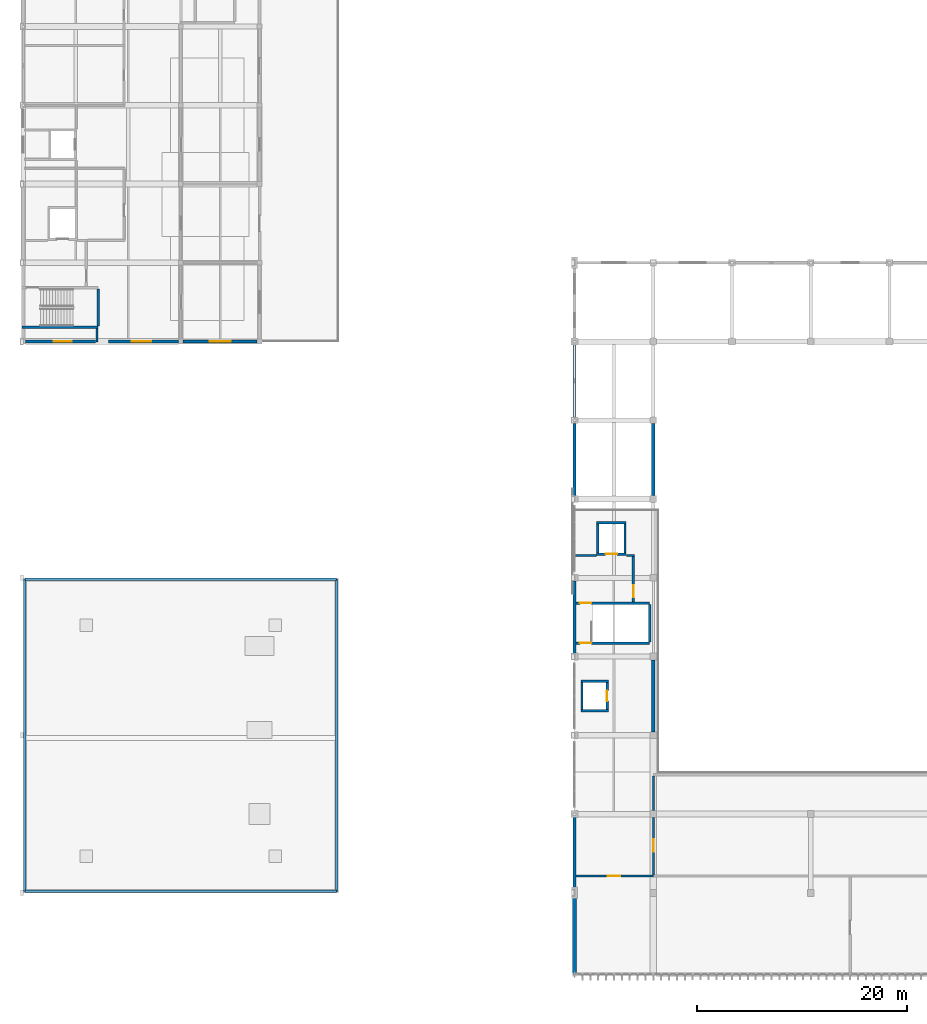
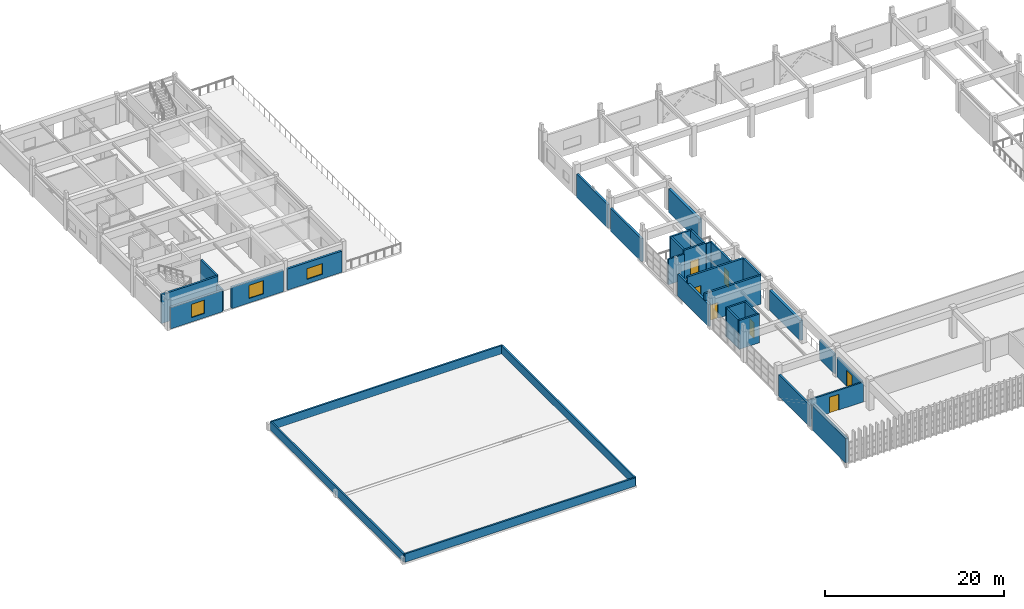
# One storey, part 34 of 51: 34 walls, 7 doors, 3 windows, 10 openings.
"""IFC4 building model written with IfcOpenShell, lengths in metres."""

from ifc_helpers import new_model, si_unit, direction, frame, frame_2d, origin, place, context, subcontext, project, spatial, rectangle, extrude, material, layer, layer_set, type_object, element, fill, save


model = new_model("IFC4")

# Units and contexts
model_context = context("Model", 3, precision=1e-05, world=origin(), true_north=direction((0.0, 1.0)))
body_context = subcontext(model_context, "Body", "Model", "MODEL_VIEW")
ifc_project = project(units=[si_unit("LENGTHUNIT", "METRE"), si_unit("AREAUNIT", "SQUARE_METRE"), si_unit("VOLUMEUNIT", "CUBIC_METRE"), si_unit("PLANEANGLEUNIT", "RADIAN"), si_unit("MASSUNIT", "GRAM", prefix="KILO")], contexts=[model_context])

# Site, building, storey
site_placement = place(None, origin())
site = spatial("IfcSite", under=ifc_project, at=site_placement, CompositionType="ELEMENT")
building_placement = place(site_placement, origin())
building = spatial("IfcBuilding", under=site, at=building_placement, Name="Qasida Concert Hall", CompositionType="ELEMENT")
storey_placement = place(building_placement, frame((0.0, 0.0, 21.0)))
storey = spatial("IfcBuildingStorey", under=building, at=storey_placement, Name="L05", CompositionType="ELEMENT", Elevation=21.0)

# Walls
ifc_material_1 = material(Name="Concrete C40/50", Category="concrete")
ifc_layer_1 = layer(ifc_material_1, 0.219970703125, Name="Concrete C40/50")
ifc_layer_set_1 = layer_set([ifc_layer_1], Name="Concrete C40/50")
wall_type_1 = type_object("IfcWallType", Name="WL-CW-220", PredefinedType="SOLIDWALL", material=ifc_layer_set_1)
for number, where, z_axis, x_axis, name in (
    (1, (53.090087890625, 39.85009765625, 0.0), (0.0, 0.0, 1.0), (1.0, 0.0, 0.0), "L05 LF-01 lift shaft wall S"),
    (2, (53.090087890625, 42.64990234375, 0.0), (0.0, 0.0, 1.0), (1.0, 0.0, 0.0), "L05 LF-01 lift shaft wall N"),
):
    element("IfcWall", number, at=place(storey_placement, frame(where, z_axis=z_axis, x_axis=x_axis)), inside=storey, type_object=wall_type_1, Name=name, PredefinedType="SOLIDWALL", context=body_context, shape_type="SweptSolid", body=[
        extrude(rectangle(XDim=2.619873046875, YDim=0.219970703125, at=frame_2d((1.31005859375, 0.0))), origin(), (0.0, 0.0, 1.0), 3.919921875),
    ])
wall_1_placement = place(storey_placement, frame((53.199951171875, 39.9599609375, 0.0), z_axis=(0.0, 0.0, 1.0), x_axis=(0.0, 1.0, 0.0)))
element("IfcWall", 3, at=wall_1_placement, inside=storey, type_object=wall_type_1, Name="L05 LF-01 lift shaft wall W", PredefinedType="SOLIDWALL", context=body_context, shape_type="SweptSolid", body=[
    extrude(rectangle(XDim=2.580078125, YDim=0.219970703125, at=frame_2d((1.2900390625, 0.0))), origin(), (0.0, 0.0, 1.0), 3.919921875),
])

# Wall, opening, door
wall_2_placement = place(storey_placement, frame((55.60009765625, 39.9599609375, 0.0), z_axis=(0.0, 0.0, 1.0), x_axis=(0.0, 1.0, 0.0)))
wall_2 = element("IfcWall", 4, at=wall_2_placement, inside=storey, type_object=wall_type_1, Name="L05 LF-01 lift shaft wall E", PredefinedType="SOLIDWALL", context=body_context, shape_type="SweptSolid", body=[
    extrude(rectangle(XDim=2.580078125, YDim=0.219970703125, at=frame_2d((1.2900390625, 0.0))), origin(), (0.0, 0.0, 1.0), 3.919921875),
])
opening_1_placement = place(wall_2_placement, frame((0.7900390625, 0.0, 0.0)))
opening_1 = element("IfcOpeningElement", 5, at=opening_1_placement, cuts=wall_2, Name="Opening LD-100", PredefinedType="OPENING", context=body_context, shape_type="SweptSolid", body=[
    extrude(rectangle(XDim=1.0, YDim=2.14990234375, at=frame_2d((0.5, 1.074951171875))), frame((0.0, 0.119873046875, 0.0), z_axis=(0.0, -1.0, 0.0), x_axis=(1.0, 0.0, 0.0)), (0.0, 0.0, 1.0), 0.239990234375),
])
ifc_material_2 = material(Name="Brushed bronze passenger lift landing door", Category="steel")
door_type_1 = type_object("IfcDoorType", Name="LD-100", OperationType="SLIDING_TO_LEFT", PredefinedType="DOOR", material=ifc_material_2)
door_1_placement = place(opening_1_placement, origin())
door_1 = element("IfcDoor", 6, at=door_1_placement, inside=storey, type_object=door_type_1, Name="Lift landing door LF-01 L05", OperationType="SLIDING_TO_LEFT", OverallHeight=2.14990234375, OverallWidth=1.0, PredefinedType="DOOR", context=body_context, shape_type="SweptSolid", body=[
    extrude(rectangle(XDim=1.0, YDim=2.14990234375, at=frame_2d((0.5, 1.074951171875))), frame((0.0, 0.02490234375, 0.0), z_axis=(0.0, -1.0, 0.0), x_axis=(1.0, 0.0, 0.0)), (0.0, 0.0, 1.0), 0.050048828125),
])
fill(opening_1, door_1)

wall_3_placement = place(storey_placement, frame((54.590087890625, 54.75, 0.0), z_axis=(0.0, 0.0, 1.0), x_axis=(1.0, 0.0, 0.0)))
wall_3 = element("IfcWall", 7, at=wall_3_placement, inside=storey, type_object=wall_type_1, Name="L05 LF-03 lift shaft wall S", PredefinedType="SOLIDWALL", context=body_context, shape_type="SweptSolid", body=[
    extrude(rectangle(XDim=2.81982421875, YDim=0.219970703125, at=frame_2d((1.409912109375, 0.0))), origin(), (0.0, 0.0, 1.0), 3.919921875),
])
opening_2_placement = place(wall_3_placement, frame((0.860107421875, 0.0, 0.0)))
opening_2 = element("IfcOpeningElement", 8, at=opening_2_placement, cuts=wall_3, Name="Opening LD-110", PredefinedType="OPENING", context=body_context, shape_type="SweptSolid", body=[
    extrude(rectangle(XDim=1.10009765625, YDim=2.14990234375, at=frame_2d((0.550048828125, 1.074951171875))), frame((0.0, 0.119873046875, 0.0), z_axis=(0.0, -1.0, 0.0), x_axis=(1.0, 0.0, 0.0)), (0.0, 0.0, 1.0), 0.239990234375),
])
ifc_material_3 = material(Name="Firefighting lift sliding landing door", Category="steel")
door_type_2 = type_object("IfcDoorType", Name="LD-110", OperationType="SLIDING_TO_LEFT", PredefinedType="DOOR", material=ifc_material_3)
door_2_placement = place(opening_2_placement, origin())
door_2 = element("IfcDoor", 9, at=door_2_placement, inside=storey, type_object=door_type_2, Name="Lift landing door LF-03 L05", OperationType="SLIDING_TO_LEFT", OverallHeight=2.14990234375, OverallWidth=1.10009765625, PredefinedType="DOOR", context=body_context, shape_type="SweptSolid", body=[
    extrude(rectangle(XDim=1.10009765625, YDim=2.14990234375, at=frame_2d((0.550048828125, 1.074951171875))), frame((0.0, 0.02490234375, 0.0), z_axis=(0.0, -1.0, 0.0), x_axis=(1.0, 0.0, 0.0)), (0.0, 0.0, 1.0), 0.050048828125),
])
fill(opening_2, door_2)

# Walls
wall_4_placement = place(storey_placement, frame((54.590087890625, 57.75, 0.0), z_axis=(0.0, 0.0, 1.0), x_axis=(1.0, 0.0, 0.0)))
element("IfcWall", 10, at=wall_4_placement, inside=storey, type_object=wall_type_1, Name="L05 LF-03 lift shaft wall N", PredefinedType="SOLIDWALL", context=body_context, shape_type="SweptSolid", body=[
    extrude(rectangle(XDim=2.81982421875, YDim=0.219970703125, at=frame_2d((1.409912109375, 0.0))), origin(), (0.0, 0.0, 1.0), 3.919921875),
])
for number, where, z_axis, x_axis, name in (
    (11, (54.699951171875, 54.860107421875, 0.0), (0.0, 0.0, 1.0), (0.0, 1.0, 0.0), "L05 LF-03 lift shaft wall W"),
    (12, (57.300048828125, 54.860107421875, 0.0), (0.0, 0.0, 1.0), (0.0, 1.0, 0.0), "L05 LF-03 lift shaft wall E"),
):
    element("IfcWall", number, at=place(storey_placement, frame(where, z_axis=z_axis, x_axis=x_axis)), inside=storey, type_object=wall_type_1, Name=name, PredefinedType="SOLIDWALL", context=body_context, shape_type="SweptSolid", body=[
        extrude(rectangle(XDim=2.77978515625, YDim=0.219970703125, at=frame_2d((1.389892578125, 0.0))), origin(), (0.0, 0.0, 1.0), 3.919921875),
    ])

# Wall, opening, door
wall_5_placement = place(storey_placement, frame((58.10009765625, 50.219970703125, 0.0), z_axis=(0.0, 0.0, 1.0), x_axis=(0.0, 1.0, 0.0)))
wall_5 = element("IfcWall", 13, at=wall_5_placement, inside=storey, type_object=wall_type_1, Name="L05 LF-03 firefighting lobby wall", PredefinedType="SOLIDWALL", context=body_context, shape_type="SweptSolid", body=[
    extrude(rectangle(XDim=4.409912109375, YDim=0.219970703125, at=frame_2d((2.205078125, 0.0))), origin(), (0.0, 0.0, 1.0), 3.919921875),
])
opening_3_placement = place(wall_5_placement, frame((0.449951171875, 0.0, 0.0)))
opening_3 = element("IfcOpeningElement", 14, at=opening_3_placement, cuts=wall_5, Name="Opening FD-110", PredefinedType="OPENING", context=body_context, shape_type="SweptSolid", body=[
    extrude(rectangle(XDim=1.10009765625, YDim=2.14990234375, at=frame_2d((0.550048828125, 1.074951171875))), frame((0.0, 0.119873046875, 0.0), z_axis=(0.0, -1.0, 0.0), x_axis=(1.0, 0.0, 0.0)), (0.0, 0.0, 1.0), 0.239990234375),
])
ifc_material_4 = material(Name="Steel fire-rated stair/lobby door set", Category="steel")
door_type_3 = type_object("IfcDoorType", Name="FD-110", OperationType="NOTDEFINED", PredefinedType="DOOR", material=ifc_material_4)
door_3_placement = place(opening_3_placement, origin())
door_3 = element("IfcDoor", 15, at=door_3_placement, inside=storey, type_object=door_type_3, Name="L05 LF-03 firefighting lobby fire door", OperationType="SINGLE_SWING_LEFT", OverallHeight=2.14990234375, OverallWidth=1.10009765625, PredefinedType="DOOR", context=body_context, shape_type="SweptSolid", body=[
    extrude(rectangle(XDim=1.10009765625, YDim=2.14990234375, at=frame_2d((0.550048828125, 1.074951171875))), frame((0.0, 0.02490234375, 0.0), z_axis=(0.0, -1.0, 0.0), x_axis=(1.0, 0.0, 0.0)), (0.0, 0.0, 1.0), 0.050048828125),
])
fill(opening_3, door_3)

ifc_layer_2 = layer(ifc_material_1, 0.25, Name="Concrete C40/50")
ifc_layer_set_2 = layer_set([ifc_layer_2], Name="Concrete C40/50")
wall_type_2 = type_object("IfcWallType", Name="WL-CW-250", PredefinedType="SOLIDWALL", material=ifc_layer_set_2)
wall_6_placement = place(storey_placement, frame((52.3798828125, 46.27490234375, 0.0), z_axis=(0.0, 0.0, 1.0), x_axis=(1.0, 0.0, 0.0)))
wall_6 = element("IfcWall", 16, at=wall_6_placement, inside=storey, type_object=wall_type_2, Name="L05 ST-01 stairwell wall S", PredefinedType="SOLIDWALL", context=body_context, shape_type="SweptSolid", body=[
    extrude(rectangle(XDim=7.260009765625, YDim=0.25, at=frame_2d((3.6298828125, 0.0))), origin(), (0.0, 0.0, 1.0), 3.919921875),
])
opening_4_placement = place(wall_6_placement, frame((0.6201171875, 0.0, 0.0)))
opening_4 = element("IfcOpeningElement", 17, at=opening_4_placement, cuts=wall_6, Name="Opening FD-110", PredefinedType="OPENING", context=body_context, shape_type="SweptSolid", body=[
    extrude(rectangle(XDim=1.10009765625, YDim=2.14990234375, at=frame_2d((0.550048828125, 1.074951171875))), frame((0.0, 0.135009765625, 0.0), z_axis=(0.0, -1.0, 0.0), x_axis=(1.0, 0.0, 0.0)), (0.0, 0.0, 1.0), 0.27001953125),
])
door_4_placement = place(opening_4_placement, origin())
door_4 = element("IfcDoor", 18, at=door_4_placement, inside=storey, type_object=door_type_3, Name="L05 ST-01 rated stair door", OperationType="SINGLE_SWING_LEFT", OverallHeight=2.14990234375, OverallWidth=1.10009765625, PredefinedType="DOOR", context=body_context, shape_type="SweptSolid", body=[
    extrude(rectangle(XDim=1.10009765625, YDim=2.14990234375, at=frame_2d((0.550048828125, 1.074951171875))), frame((0.0, 0.02490234375, 0.0), z_axis=(0.0, -1.0, 0.0), x_axis=(1.0, 0.0, 0.0)), (0.0, 0.0, 1.0), 0.050048828125),
])
fill(opening_4, door_4)

wall_7_placement = place(storey_placement, frame((52.3798828125, 50.0849609375, 0.0), z_axis=(0.0, 0.0, 1.0), x_axis=(1.0, 0.0, 0.0)))
wall_7 = element("IfcWall", 19, at=wall_7_placement, inside=storey, type_object=wall_type_2, Name="L05 ST-01 stairwell wall N", PredefinedType="SOLIDWALL", context=body_context, shape_type="SweptSolid", body=[
    extrude(rectangle(XDim=7.260009765625, YDim=0.25, at=frame_2d((3.6298828125, 0.0))), origin(), (0.0, 0.0, 1.0), 3.919921875),
])
opening_5_placement = place(wall_7_placement, frame((0.6201171875, 0.0, 0.0)))
opening_5 = element("IfcOpeningElement", 20, at=opening_5_placement, cuts=wall_7, Name="Opening FD-110", PredefinedType="OPENING", context=body_context, shape_type="SweptSolid", body=[
    extrude(rectangle(XDim=1.10009765625, YDim=2.14990234375, at=frame_2d((0.550048828125, 1.074951171875))), frame((0.0, 0.135009765625, 0.0), z_axis=(0.0, -1.0, 0.0), x_axis=(1.0, 0.0, 0.0)), (0.0, 0.0, 1.0), 0.27001953125),
])
door_5_placement = place(opening_5_placement, frame((1.10009765625, 0.0, 0.0), z_axis=(0.0, 0.0, 1.0), x_axis=(-1.0, 0.0, 0.0)))
door_5 = element("IfcDoor", 21, at=door_5_placement, inside=storey, type_object=door_type_3, Name="L05 ST-01 rated stair door", OperationType="SINGLE_SWING_RIGHT", OverallHeight=2.14990234375, OverallWidth=1.10009765625, PredefinedType="DOOR", context=body_context, shape_type="SweptSolid", body=[
    extrude(rectangle(XDim=1.10009765625, YDim=2.14990234375, at=frame_2d((0.550048828125, 1.074951171875))), frame((0.0, 0.02490234375, 0.0), z_axis=(0.0, -1.0, 0.0), x_axis=(1.0, 0.0, 0.0)), (0.0, 0.0, 1.0), 0.050048828125),
])
fill(opening_5, door_5)

# Walls
wall_8_placement = place(storey_placement, frame((59.64501953125, 46.39990234375, 0.0), z_axis=(0.0, 0.0, 1.0), x_axis=(0.0, 1.0, 0.0)))
element("IfcWall", 22, at=wall_8_placement, inside=storey, type_object=wall_type_2, Name="L05 ST-01 stairwell wall E", PredefinedType="SOLIDWALL", context=body_context, shape_type="SweptSolid", body=[
    extrude(rectangle(XDim=3.56005859375, YDim=0.25, at=frame_2d((1.780029296875, 0.0))), origin(), (0.0, 0.0, 1.0), 3.919921875),
])
wall_9_placement = place(storey_placement, frame((-0.1201171875, 76.375, 0.0), z_axis=(0.0, 0.0, 1.0), x_axis=(1.0, 0.0, 0.0)))
element("IfcWall", 23, at=wall_9_placement, inside=storey, type_object=wall_type_2, Name="L05 ST-05 stairwell wall S", PredefinedType="SOLIDWALL", context=body_context, shape_type="SweptSolid", body=[
    extrude(rectangle(XDim=7.260009765625, YDim=0.25, at=frame_2d((3.6298828125, 0.0))), origin(), (0.0, 0.0, 1.0), 3.919921875),
])
wall_10_placement = place(storey_placement, frame((7.14501953125, 76.5, 0.0), z_axis=(0.0, 0.0, 1.0), x_axis=(0.0, 1.0, 0.0)))
element("IfcWall", 24, at=wall_10_placement, inside=storey, type_object=wall_type_2, Name="L05 ST-05 stairwell wall E", PredefinedType="SOLIDWALL", context=body_context, shape_type="SweptSolid", body=[
    extrude(rectangle(XDim=3.5, YDim=0.25, at=frame_2d((1.75, 0.0))), origin(), (0.0, 0.0, 1.0), 3.919921875),
])
ifc_material_5 = material(Name="Precast concrete C40/50", Category="concrete")
ifc_layer_3 = layer(ifc_material_5, 0.260009765625, Name="Precast concrete C40/50")
ifc_layer_set_3 = layer_set([ifc_layer_3], Name="Precast concrete C40/50")
wall_type_3 = type_object("IfcWallType", Name="WL-EW-260", PredefinedType="SOLIDWALL", material=ifc_layer_set_3)
wall_11_placement = place(storey_placement, frame((52.5, 22.800048828125, 0.0), z_axis=(0.0, 0.0, 1.0), x_axis=(0.0, 1.0, 0.0)))
element("IfcWall", 25, at=wall_11_placement, inside=storey, type_object=wall_type_3, Name="L05 exterior wall EW-260 0096", PredefinedType="SOLIDWALL", context=body_context, shape_type="SweptSolid", body=[
    extrude(rectangle(XDim=6.89990234375, YDim=0.260009765625, at=frame_2d((3.449951171875, 0.0))), origin(), (0.0, 0.0, 1.0), 2.93994140625),
])
wall_12_placement = place(storey_placement, frame((52.5, 45.300048828125, 0.0), z_axis=(0.0, 0.0, 1.0), x_axis=(0.0, 1.0, 0.0)))
element("IfcWall", 26, at=wall_12_placement, inside=storey, type_object=wall_type_3, Name="L05 exterior wall EW-260 0098", PredefinedType="SOLIDWALL", context=body_context, shape_type="SweptSolid", body=[
    extrude(rectangle(XDim=6.89990234375, YDim=0.260009765625, at=frame_2d((3.449951171875, 0.0))), origin(), (0.0, 0.0, 1.0), 2.989990234375),
])
wall_13_placement = place(storey_placement, frame((52.5, 60.300048828125, -0.280029296875), z_axis=(0.0, 0.0, 1.0), x_axis=(0.0, 1.0, 0.0)))
element("IfcWall", 27, at=wall_13_placement, inside=storey, type_object=wall_type_3, Name="L05 exterior wall EW-260 0100", PredefinedType="SOLIDWALL", context=body_context, shape_type="SweptSolid", body=[
    extrude(rectangle(XDim=6.89990234375, YDim=0.260009765625, at=frame_2d((3.449951171875, 0.0))), origin(), (0.0, 0.0, 1.0), 3.1201171875),
])
wall_14_placement = place(storey_placement, frame((52.5, 67.800048828125, -0.280029296875), z_axis=(0.0, 0.0, 1.0), x_axis=(0.0, 1.0, 0.0)))
element("IfcWall", 28, at=wall_14_placement, inside=storey, type_object=wall_type_3, Name="L05 exterior wall EW-260 0102", PredefinedType="SOLIDWALL", context=body_context, shape_type="SweptSolid", body=[
    extrude(rectangle(XDim=6.89990234375, YDim=0.260009765625, at=frame_2d((3.449951171875, 0.0))), origin(), (0.0, 0.0, 1.0), 3.219970703125),
])

# Wall, opening, window
ifc_layer_4 = layer(ifc_material_5, 0.280029296875, Name="Precast concrete C40/50")
ifc_layer_set_4 = layer_set([ifc_layer_4], Name="Precast concrete C40/50")
wall_type_4 = type_object("IfcWallType", Name="WL-EW-280", PredefinedType="SOLIDWALL", material=ifc_layer_set_4)
wall_15_placement = place(storey_placement, frame((0.235107421875, 75.0, 0.0), z_axis=(0.0, 0.0, 1.0), x_axis=(1.0, 0.0, 0.0)))
wall_15 = element("IfcWall", 29, at=wall_15_placement, inside=storey, type_object=wall_type_4, Name="L05 exterior wall EW-280 0311", PredefinedType="SOLIDWALL", context=body_context, shape_type="SweptSolid", body=[
    extrude(rectangle(XDim=6.644775390625, YDim=0.280029296875, at=frame_2d((3.322265625, 0.0))), origin(), (0.0, 0.0, 1.0), 2.889892578125),
])
opening_6_placement = place(wall_15_placement, frame((2.6650390625, 0.0, 0.60009765625)))
opening_6 = element("IfcOpeningElement", 30, at=opening_6_placement, cuts=wall_15, Name="Opening WN-05", PredefinedType="OPENING", context=body_context, shape_type="SweptSolid", body=[
    extrude(rectangle(XDim=1.699951171875, YDim=1.800048828125, at=frame_2d((0.85009765625, 0.89990234375))), frame((0.0, 0.14990234375, 0.0), z_axis=(0.0, -1.0, 0.0), x_axis=(1.0, 0.0, 0.0)), (0.0, 0.0, 1.0), 0.300048828125),
])
ifc_material_6 = material(Name="Bronze-anodized aluminium frame with acoustic low-E glazing", Category="aluminium")
window_type_1 = type_object("IfcWindowType", Name="WN-05", PartitioningType="SINGLE_PANEL", PredefinedType="WINDOW", material=ifc_material_6)
window_1_placement = place(opening_6_placement, origin())
window_1 = element("IfcWindow", 31, at=window_1_placement, inside=storey, type_object=window_type_1, Name="L05 window WN-05 0172", OverallHeight=1.800048828125, OverallWidth=1.699951171875, PartitioningType="SINGLE_PANEL", PredefinedType="WINDOW", context=body_context, shape_type="SweptSolid", body=[
    extrude(rectangle(XDim=1.699951171875, YDim=1.800048828125, at=frame_2d((0.85009765625, 0.89990234375))), frame((0.0, 0.030029296875, 0.0), z_axis=(0.0, -1.0, 0.0), x_axis=(1.0, 0.0, 0.0)), (0.0, 0.0, 1.0), 0.06005859375),
])
fill(opening_6, window_1)

wall_16_placement = place(storey_placement, frame((8.1201171875, 75.0, 0.0), z_axis=(0.0, 0.0, 1.0), x_axis=(1.0, 0.0, 0.0)))
wall_16 = element("IfcWall", 32, at=wall_16_placement, inside=storey, type_object=wall_type_4, Name="L05 exterior wall EW-280 0313", PredefinedType="SOLIDWALL", context=body_context, shape_type="SweptSolid", body=[
    extrude(rectangle(XDim=6.644775390625, YDim=0.280029296875, at=frame_2d((3.322265625, 0.0))), origin(), (0.0, 0.0, 1.0), 2.889892578125),
])
opening_7_placement = place(wall_16_placement, frame((2.205078125, 0.0, 0.60009765625)))
opening_7 = element("IfcOpeningElement", 33, at=opening_7_placement, cuts=wall_16, Name="Opening WN-06", PredefinedType="OPENING", context=body_context, shape_type="SweptSolid", body=[
    extrude(rectangle(XDim=1.85009765625, YDim=1.800048828125, at=frame_2d((0.925048828125, 0.89990234375))), frame((0.0, 0.14990234375, 0.0), z_axis=(0.0, -1.0, 0.0), x_axis=(1.0, 0.0, 0.0)), (0.0, 0.0, 1.0), 0.300048828125),
])
window_type_2 = type_object("IfcWindowType", Name="WN-06", PartitioningType="SINGLE_PANEL", PredefinedType="WINDOW", material=ifc_material_6)
window_2_placement = place(opening_7_placement, origin())
window_2 = element("IfcWindow", 34, at=window_2_placement, inside=storey, type_object=window_type_2, Name="L05 window WN-06 0174", OverallHeight=1.800048828125, OverallWidth=1.85009765625, PartitioningType="SINGLE_PANEL", PredefinedType="WINDOW", context=body_context, shape_type="SweptSolid", body=[
    extrude(rectangle(XDim=1.85009765625, YDim=1.800048828125, at=frame_2d((0.925048828125, 0.89990234375))), frame((0.0, 0.030029296875, 0.0), z_axis=(0.0, -1.0, 0.0), x_axis=(1.0, 0.0, 0.0)), (0.0, 0.0, 1.0), 0.06005859375),
])
fill(opening_7, window_2)

wall_17_placement = place(storey_placement, frame((15.235107421875, 75.0, 0.0), z_axis=(0.0, 0.0, 1.0), x_axis=(1.0, 0.0, 0.0)))
wall_17 = element("IfcWall", 35, at=wall_17_placement, inside=storey, type_object=wall_type_4, Name="L05 exterior wall EW-280 0315", PredefinedType="SOLIDWALL", context=body_context, shape_type="SweptSolid", body=[
    extrude(rectangle(XDim=7.02978515625, YDim=0.280029296875, at=frame_2d((3.514892578125, 0.0))), origin(), (0.0, 0.0, 1.0), 2.889892578125),
])
opening_8_placement = place(wall_17_placement, frame((2.514892578125, 0.0, 0.60009765625)))
opening_8 = element("IfcOpeningElement", 36, at=opening_8_placement, cuts=wall_17, Name="Opening WN-07", PredefinedType="OPENING", context=body_context, shape_type="SweptSolid", body=[
    extrude(rectangle(XDim=2.0, YDim=1.449951171875, at=frame_2d((1.0, 0.72509765625))), frame((0.0, 0.14990234375, 0.0), z_axis=(0.0, -1.0, 0.0), x_axis=(1.0, 0.0, 0.0)), (0.0, 0.0, 1.0), 0.300048828125),
])
window_type_3 = type_object("IfcWindowType", Name="WN-07", PartitioningType="SINGLE_PANEL", PredefinedType="WINDOW", material=ifc_material_6)
window_3_placement = place(opening_8_placement, origin())
window_3 = element("IfcWindow", 37, at=window_3_placement, inside=storey, type_object=window_type_3, Name="L05 window WN-07 0175", OverallHeight=1.449951171875, OverallWidth=2.0, PartitioningType="SINGLE_PANEL", PredefinedType="WINDOW", context=body_context, shape_type="SweptSolid", body=[
    extrude(rectangle(XDim=2.0, YDim=1.449951171875, at=frame_2d((1.0, 0.72509765625))), frame((0.0, 0.030029296875, 0.0), z_axis=(0.0, -1.0, 0.0), x_axis=(1.0, 0.0, 0.0)), (0.0, 0.0, 1.0), 0.06005859375),
])
fill(opening_8, window_3)

# Walls
ifc_layer_5 = layer(ifc_material_5, 0.360107421875, Name="Precast concrete C40/50")
ifc_layer_set_5 = layer_set([ifc_layer_5], Name="Precast concrete C40/50")
wall_type_5 = type_object("IfcWallType", Name="WL-EW-360", PredefinedType="SOLIDWALL", material=ifc_layer_set_5)
wall_18_placement = place(storey_placement, frame((52.5, 14.699951171875, 0.0), z_axis=(0.0, 0.0, 1.0), x_axis=(0.0, 1.0, 0.0)))
element("IfcWall", 38, at=wall_18_placement, inside=storey, type_object=wall_type_5, Name="L05 exterior wall EW-360 0014", PredefinedType="SOLIDWALL", context=body_context, shape_type="SweptSolid", body=[
    extrude(rectangle(XDim=7.5, YDim=0.360107421875, at=frame_2d((3.75, 0.0))), origin(), (0.0, 0.0, 1.0), 3.320068359375),
])
ifc_layer_6 = layer(ifc_material_5, 0.219970703125, Name="Precast concrete C40/50")
ifc_layer_set_6 = layer_set([ifc_layer_6], Name="Precast concrete C40/50")
wall_type_6 = type_object("IfcWallType", Name="WL-PR-220", PredefinedType="PARAPET", material=ifc_layer_set_6)
for number, where, z_axis, x_axis, name in (
    (39, (0.14990234375, 52.35009765625, 0.0), (0.0, 0.0, 1.0), (0.0, -1.0, 0.0), "L05 stepped roof parapet PR-220 005"),
    (40, (0.14990234375, 22.64990234375, 0.0), (0.0, 0.0, 1.0), (1.0, 0.0, 0.0), "L05 stepped roof parapet PR-220 006"),
    (41, (29.85009765625, 22.64990234375, 0.0), (0.0, 0.0, 1.0), (0.0, 1.0, 0.0), "L05 stepped roof parapet PR-220 007"),
    (42, (29.85009765625, 52.35009765625, 0.0), (0.0, 0.0, 1.0), (-1.0, 0.0, 0.0), "L05 stepped roof parapet PR-220 008"),
):
    element("IfcWall", number, at=place(storey_placement, frame(where, z_axis=z_axis, x_axis=x_axis)), inside=storey, type_object=wall_type_6, Name=name, PredefinedType="PARAPET", context=body_context, shape_type="SweptSolid", body=[
        extrude(rectangle(XDim=29.7001953125, YDim=0.219970703125, at=frame_2d((14.85009765625, 0.0))), origin(), (0.0, 0.0, 1.0), 1.1201171875),
    ])
ifc_material_7 = material(Name="Acoustic metal-stud gypsum partition", Category="gypsum")
ifc_layer_7 = layer(ifc_material_7, 0.179931640625, Name="Acoustic metal-stud gypsum partition")
ifc_layer_set_7 = layer_set([ifc_layer_7], Name="Acoustic metal-stud gypsum partition")
wall_type_7 = type_object("IfcWallType", Name="WL-PW-180", PredefinedType="PARTITIONING", material=ifc_layer_set_7)
wall_19_placement = place(storey_placement, frame((7.02001953125, 75.0, 0.0), z_axis=(0.0, 0.0, 1.0), x_axis=(0.0, 1.0, 0.0)))
element("IfcWall", 43, at=wall_19_placement, inside=storey, type_object=wall_type_7, Name="L05 partition PW-180 0374", PredefinedType="PARTITIONING", context=body_context, shape_type="SweptSolid", body=[
    extrude(rectangle(XDim=1.236083984375, YDim=0.179931640625, at=frame_2d((0.6181640625, 0.0))), origin(), (0.0, 0.0, 1.0), 2.889892578125),
])
ifc_material_8 = material(Name="Acoustic gypsum block and mineral wool", Category="gypsum")
ifc_layer_8 = layer(ifc_material_8, 0.199951171875, Name="Acoustic gypsum block and mineral wool")
ifc_layer_set_8 = layer_set([ifc_layer_8], Name="Acoustic gypsum block and mineral wool")
wall_type_8 = type_object("IfcWallType", Name="WL-PW-200", PredefinedType="PARTITIONING", material=ifc_layer_set_8)
wall_20_placement = place(storey_placement, frame((52.56005859375, 54.6298828125, 0.0), z_axis=(0.0, 0.0, 1.0), x_axis=(1.0, 0.0, 0.0)))
element("IfcWall", 44, at=wall_20_placement, inside=storey, type_object=wall_type_8, Name="L05 LF-03 firefighting lobby return wall", PredefinedType="PARTITIONING", context=body_context, shape_type="SweptSolid", body=[
    extrude(rectangle(XDim=2.014892578125, YDim=0.199951171875, at=frame_2d((1.00732421875, 0.0))), origin(), (0.0, 0.0, 1.0), 3.47998046875),
])
wall_21_placement = place(storey_placement, frame((57.425048828125, 54.6298828125, 0.0), z_axis=(0.0, 0.0, 1.0), x_axis=(1.0, 0.0, 0.0)))
element("IfcWall", 45, at=wall_21_placement, inside=storey, type_object=wall_type_8, Name="L05 LF-03 firefighting lobby return wall", PredefinedType="PARTITIONING", context=body_context, shape_type="SweptSolid", body=[
    extrude(rectangle(XDim=0.784912109375, YDim=0.199951171875, at=frame_2d((0.392578125, 0.0))), origin(), (0.0, 0.0, 1.0), 3.89990234375),
])

# Wall, opening, door
wall_22_placement = place(storey_placement, frame((52.64404296875, 24.10009765625, 0.0), z_axis=(0.0, 0.0, 1.0), x_axis=(1.0, 0.0, 0.0)))
wall_22 = element("IfcWall", 46, at=wall_22_placement, inside=storey, type_object=wall_type_8, Name="L05 partition PW-200 0510", PredefinedType="PARTITIONING", context=body_context, shape_type="SweptSolid", body=[
    extrude(rectangle(XDim=7.35595703125, YDim=0.199951171875, at=frame_2d((3.677978515625, 0.0))), origin(), (0.0, 0.0, 1.0), 2.68994140625),
])
opening_9_placement = place(wall_22_placement, frame((3.006103515625, 0.0, 0.0)))
opening_9 = element("IfcOpeningElement", 47, at=opening_9_placement, cuts=wall_22, Name="Opening FD-120", PredefinedType="OPENING", context=body_context, shape_type="SweptSolid", body=[
    extrude(rectangle(XDim=1.199951171875, YDim=2.14990234375, at=frame_2d((0.60009765625, 1.074951171875))), frame((0.0, 0.10986328125, 0.0), z_axis=(0.0, -1.0, 0.0), x_axis=(1.0, 0.0, 0.0)), (0.0, 0.0, 1.0), 0.219970703125),
])
ifc_material_9 = material(Name="Steel fire-rated acoustic door set", Category="steel")
door_type_4 = type_object("IfcDoorType", Name="FD-120", OperationType="NOTDEFINED", PredefinedType="DOOR", material=ifc_material_9)
door_6_placement = place(opening_9_placement, origin())
door_6 = element("IfcDoor", 48, at=door_6_placement, inside=storey, type_object=door_type_4, Name="L05 L05 west south suite door", OperationType="SINGLE_SWING_LEFT", OverallHeight=2.14990234375, OverallWidth=1.199951171875, PredefinedType="DOOR", context=body_context, shape_type="SweptSolid", body=[
    extrude(rectangle(XDim=1.199951171875, YDim=2.14990234375, at=frame_2d((0.60009765625, 1.074951171875))), frame((0.0, 0.02490234375, 0.0), z_axis=(0.0, -1.0, 0.0), x_axis=(1.0, 0.0, 0.0)), (0.0, 0.0, 1.0), 0.050048828125),
])
fill(opening_9, door_6)

wall_23_placement = place(storey_placement, frame((60.0, 24.214111328125, 0.0), z_axis=(0.0, 0.0, 1.0), x_axis=(0.0, 1.0, 0.0)))
wall_23 = element("IfcWall", 49, at=wall_23_placement, inside=storey, type_object=wall_type_8, Name="L05 partition PW-200 0515", PredefinedType="PARTITIONING", context=body_context, shape_type="SweptSolid", body=[
    extrude(rectangle(XDim=5.44677734375, YDim=0.199951171875, at=frame_2d((2.723388671875, 0.0))), origin(), (0.0, 0.0, 1.0), 2.68994140625),
])
opening_10_placement = place(wall_23_placement, frame((2.18603515625, 0.0, 0.0)))
opening_10 = element("IfcOpeningElement", 50, at=opening_10_placement, cuts=wall_23, Name="Opening FD-120", PredefinedType="OPENING", context=body_context, shape_type="SweptSolid", body=[
    extrude(rectangle(XDim=1.199951171875, YDim=2.14990234375, at=frame_2d((0.60009765625, 1.074951171875))), frame((0.0, 0.10986328125, 0.0), z_axis=(0.0, -1.0, 0.0), x_axis=(1.0, 0.0, 0.0)), (0.0, 0.0, 1.0), 0.219970703125),
])
door_7_placement = place(opening_10_placement, origin())
door_7 = element("IfcDoor", 51, at=door_7_placement, inside=storey, type_object=door_type_4, Name="L05 L05 central library west door", OperationType="SINGLE_SWING_RIGHT", OverallHeight=2.14990234375, OverallWidth=1.199951171875, PredefinedType="DOOR", context=body_context, shape_type="SweptSolid", body=[
    extrude(rectangle(XDim=1.199951171875, YDim=2.14990234375, at=frame_2d((0.60009765625, 1.074951171875))), frame((0.0, 0.02490234375, 0.0), z_axis=(0.0, -1.0, 0.0), x_axis=(1.0, 0.0, 0.0)), (0.0, 0.0, 1.0), 0.050048828125),
])
fill(opening_10, door_7)

# Walls
wall_24_placement = place(storey_placement, frame((60.0, 30.339111328125, 0.0), z_axis=(0.0, 0.0, 1.0), x_axis=(0.0, 1.0, 0.0)))
element("IfcWall", 52, at=wall_24_placement, inside=storey, type_object=wall_type_8, Name="L05 partition PW-200 0516", PredefinedType="PARTITIONING", context=body_context, shape_type="SweptSolid", body=[
    extrude(rectangle(XDim=3.296875, YDim=0.199951171875, at=frame_2d((1.6484375, 0.0))), origin(), (0.0, 0.0, 1.0), 2.68994140625),
])
ifc_layer_9 = layer(ifc_material_1, 0.35009765625, Name="Concrete C40/50")
ifc_layer_set_9 = layer_set([ifc_layer_9], Name="Concrete C40/50")
wall_type_9 = type_object("IfcWallType", Name="WL-SW-350", PredefinedType="SHEAR", material=ifc_layer_set_9)
wall_25_placement = place(storey_placement, frame((60.0, 37.824951171875, 0.0), z_axis=(0.0, 0.0, 1.0), x_axis=(0.0, 1.0, 0.0)))
element("IfcWall", 53, at=wall_25_placement, inside=storey, type_object=wall_type_9, Name="L05 acoustic box shear wall 0042", PredefinedType="SHEAR", context=body_context, shape_type="SweptSolid", body=[
    extrude(rectangle(XDim=6.85009765625, YDim=0.35009765625, at=frame_2d((3.425048828125, 0.0))), origin(), (0.0, 0.0, 1.0), 2.719970703125),
])
wall_26_placement = place(storey_placement, frame((60.0, 60.324951171875, -0.280029296875), z_axis=(0.0, 0.0, 1.0), x_axis=(0.0, 1.0, 0.0)))
element("IfcWall", 54, at=wall_26_placement, inside=storey, type_object=wall_type_9, Name="L05 acoustic box shear wall 0043", PredefinedType="SHEAR", context=body_context, shape_type="SweptSolid", body=[
    extrude(rectangle(XDim=6.85009765625, YDim=0.35009765625, at=frame_2d((3.425048828125, 0.0))), origin(), (0.0, 0.0, 1.0), 3.150146484375),
])

save(model, "model.ifc")
